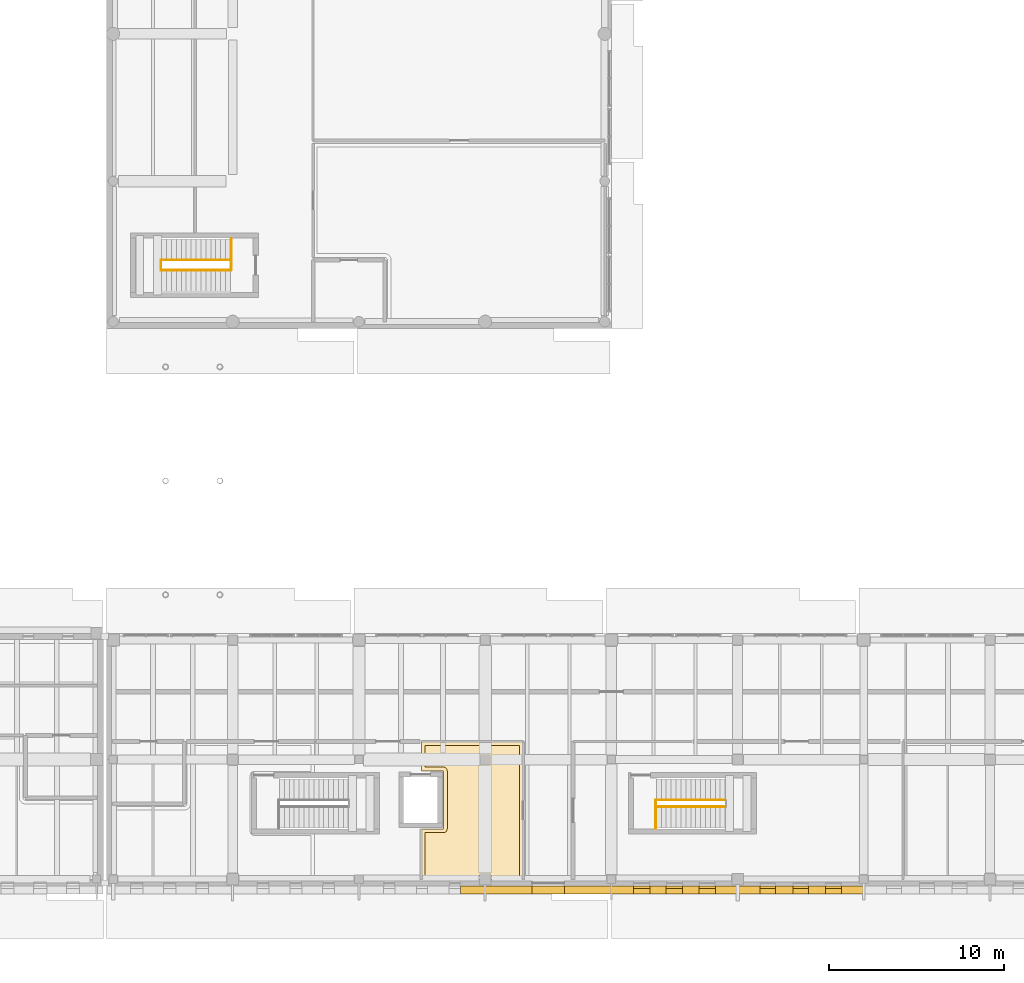
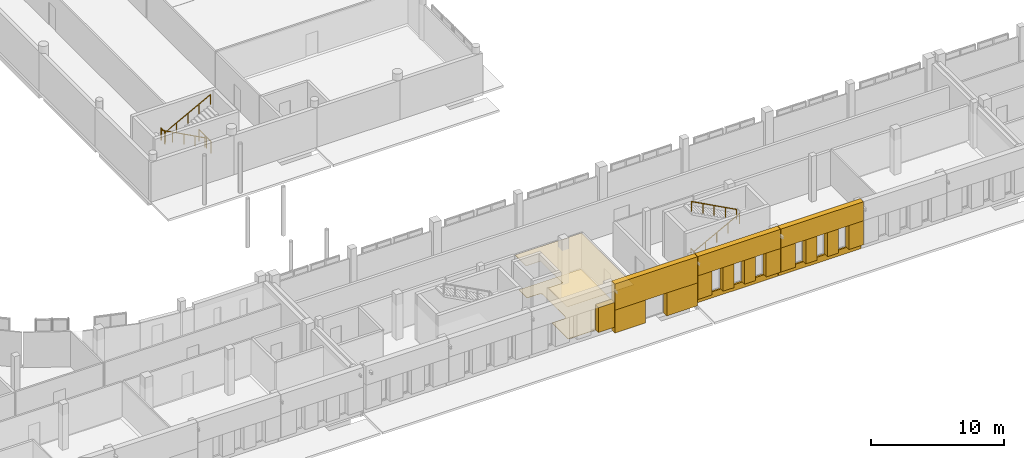
# One storey, part 69 of 77: 18 coverings, 7 railings.
"""IFC4 building model written with IfcOpenShell, lengths in metres."""

from ifc_helpers import new_model, si_unit, direction, frame, origin, origin_2d, place, context, subcontext, project, spatial, polyline, circle, outline, extrude, material, layer, layer_set, type_object, element, save


model = new_model("IFC4")

# Units and contexts
model_context = context("Model", 3, precision=1e-05, world=origin(), true_north=direction((0.0, 1.0)))
body_context = subcontext(model_context, "Body", "Model", "MODEL_VIEW")
ifc_project = project(units=[si_unit("LENGTHUNIT", "METRE"), si_unit("AREAUNIT", "SQUARE_METRE"), si_unit("VOLUMEUNIT", "CUBIC_METRE"), si_unit("PLANEANGLEUNIT", "RADIAN"), si_unit("MASSUNIT", "GRAM", prefix="KILO")], contexts=[model_context])

# Site, building, storey
site_placement = place(None, origin())
site = spatial("IfcSite", under=ifc_project, at=site_placement, CompositionType="ELEMENT")
building_placement = place(site_placement, origin())
building = spatial("IfcBuilding", under=site, at=building_placement, Name="Vardoun Plaza Health Centre", CompositionType="ELEMENT")
storey_placement = place(building_placement, origin())
storey = spatial("IfcBuildingStorey", under=building, at=storey_placement, Name="L00", CompositionType="ELEMENT", Elevation=0.0)

# Coverings
ifc_material_1 = material(Name="Hygienic Acoustic Mineral-Fibre Ceiling", Category="concrete")
ifc_layer_1 = layer(ifc_material_1, 0.02490234375)
ifc_layer_set_1 = layer_set([ifc_layer_1], Name="Hygienic Acoustic Mineral-Fibre Ceiling")
covering_type_1 = type_object("IfcCoveringType", Name="CL-01", PredefinedType="CEILING", material=ifc_layer_set_1)
covering_1_placement = place(storey_placement, frame((0.0, 0.0, 3.14501953125)))
element("IfcCovering", 1, at=covering_1_placement, inside=storey, type_object=covering_type_1, Name="Gowned Patient Waiting Lounge Acoustic Ceiling", PredefinedType="CEILING", context=body_context, shape_type="SweptSolid", body=[
    extrude(outline(polyline([(71.64990234375, 4.860107421875), (65.85009765625, 4.860107421875), (65.85009765625, 7.739990234375), (67.10009765625, 7.739990234375), (67.10107421875, 7.739990234375), (67.10205078125, 7.740234375), (67.102783203125, 7.740478515625), (67.103759765625, 7.74072265625), (67.104736328125, 7.7412109375), (67.105712890625, 7.74169921875), (67.106201171875, 7.7421875), (67.107177734375, 7.742919921875), (67.107666015625, 7.74365234375), (67.1083984375, 7.744384765625), (67.10888671875, 7.745361328125), (67.109130859375, 7.74609375), (67.109619140625, 7.7470703125), (67.10986328125, 7.748046875), (67.110107421875, 7.7490234375), (67.110107421875, 7.75), (67.110107421875, 11.050048828125), (67.110107421875, 11.051025390625), (67.10986328125, 11.052001953125), (67.109619140625, 11.052978515625), (67.109130859375, 11.0537109375), (67.10888671875, 11.0546875), (67.1083984375, 11.0556640625), (67.107666015625, 11.056396484375), (67.107177734375, 11.05712890625), (67.106201171875, 11.0576171875), (67.105712890625, 11.058349609375), (67.104736328125, 11.058837890625), (67.103759765625, 11.05908203125), (67.102783203125, 11.0595703125), (67.10205078125, 11.059814453125), (67.10107421875, 11.06005859375), (67.10009765625, 11.06005859375), (65.85009765625, 11.06005859375), (65.85009765625, 12.719970703125), (71.64990234375, 12.719970703125), (71.64990234375, 4.860107421875)])), origin(), (0.0, 0.0, 1.0), 0.02490234375),
])
ifc_material_2 = material(Name="Pale Limestone Concrete C35/45", Category="masonry")
ifc_layer_2 = layer(ifc_material_2, 0.080078125)
ifc_layer_set_2 = layer_set([ifc_layer_2], Name="Pale Limestone Concrete C35/45")
covering_type_2 = type_object("IfcCoveringType", Name="CL-EXT1", PredefinedType="CLADDING", material=ifc_layer_set_2)
covering_2_placement = place(storey_placement, origin())
element("IfcCovering", 2, at=covering_2_placement, inside=storey, type_object=covering_type_2, Name="V4 L00 Pale Concrete Sill Band 992", PredefinedType="CLADDING", context=body_context, shape_type="SweptSolid", body=[
    extrude(outline(polyline([(91.06005859375, 4.5), (83.89990234375, 4.5), (83.89990234375, 4.360107421875), (91.06005859375, 4.360107421875), (91.06005859375, 4.5)])), origin(), (0.0, 0.0, 1.0), 0.550048828125),
])
covering_3_placement = place(storey_placement, frame((0.0, 0.0, 2.75)))
element("IfcCovering", 3, at=covering_3_placement, inside=storey, type_object=covering_type_2, Name="V4 L00 Sculpted Concrete Eyebrow Hood 993", PredefinedType="CLADDING", context=body_context, shape_type="SweptSolid", body=[
    extrude(outline(polyline([(91.06005859375, 4.5), (83.89990234375, 4.5), (83.89990234375, 4.02001953125), (91.06005859375, 4.02001953125), (91.06005859375, 4.5)])), origin(), (0.0, 0.0, 1.0), 1.75),
])
covering_4_placement = place(storey_placement, frame((0.0, 0.0, 0.550048828125)))
element("IfcCovering", 4, at=covering_4_placement, inside=storey, type_object=covering_type_2, Name="V4 L00 Deep-Punched Slot Concrete Reveal Pier 994", PredefinedType="CLADDING", context=body_context, shape_type="SweptSolid", body=[
    extrude(outline(polyline([(91.06005859375, 4.5), (89.802001953125, 4.5), (89.802001953125, 4.02001953125), (91.06005859375, 4.02001953125), (91.06005859375, 4.5)])), origin(), (0.0, 0.0, 1.0), 2.199951171875),
])
covering_5_placement = place(storey_placement, frame((0.0, 0.0, 0.550048828125)))
element("IfcCovering", 5, at=covering_5_placement, inside=storey, type_object=covering_type_2, Name="V4 L00 Deep-Punched Slot Concrete Reveal Pier 995", PredefinedType="CLADDING", context=body_context, shape_type="SweptSolid", body=[
    extrude(outline(polyline([(88.902099609375, 4.5), (87.929931640625, 4.5), (87.929931640625, 4.02001953125), (88.902099609375, 4.02001953125), (88.902099609375, 4.5)])), origin(), (0.0, 0.0, 1.0), 2.199951171875),
])
covering_6_placement = place(storey_placement, frame((0.0, 0.0, 0.550048828125)))
element("IfcCovering", 6, at=covering_6_placement, inside=storey, type_object=covering_type_2, Name="V4 L00 Deep-Punched Slot Concrete Reveal Pier 996", PredefinedType="CLADDING", context=body_context, shape_type="SweptSolid", body=[
    extrude(outline(polyline([(87.030029296875, 4.5), (86.05810546875, 4.5), (86.05810546875, 4.02001953125), (87.030029296875, 4.02001953125), (87.030029296875, 4.5)])), origin(), (0.0, 0.0, 1.0), 2.199951171875),
])
covering_7_placement = place(storey_placement, frame((0.0, 0.0, 0.550048828125)))
element("IfcCovering", 7, at=covering_7_placement, inside=storey, type_object=covering_type_2, Name="V4 L00 Deep-Punched Slot Concrete Reveal Pier 997", PredefinedType="CLADDING", context=body_context, shape_type="SweptSolid", body=[
    extrude(outline(polyline([(85.157958984375, 4.5), (83.89990234375, 4.5), (83.89990234375, 4.02001953125), (85.157958984375, 4.02001953125), (85.157958984375, 4.5)])), origin(), (0.0, 0.0, 1.0), 2.199951171875),
])
covering_8_placement = place(storey_placement, origin())
element("IfcCovering", 8, at=covering_8_placement, inside=storey, type_object=covering_type_2, Name="V4 L00 Pale Concrete Sill Band 998", PredefinedType="CLADDING", context=body_context, shape_type="SweptSolid", body=[
    extrude(outline(polyline([(83.860107421875, 4.5), (76.699951171875, 4.5), (76.699951171875, 4.360107421875), (83.860107421875, 4.360107421875), (83.860107421875, 4.5)])), origin(), (0.0, 0.0, 1.0), 0.550048828125),
])
covering_9_placement = place(storey_placement, frame((0.0, 0.0, 2.72998046875)))
element("IfcCovering", 9, at=covering_9_placement, inside=storey, type_object=covering_type_2, Name="V4 L00 Sculpted Concrete Eyebrow Hood 999", PredefinedType="CLADDING", context=body_context, shape_type="SweptSolid", body=[
    extrude(outline(polyline([(83.860107421875, 4.5), (76.699951171875, 4.5), (76.699951171875, 4.02001953125), (83.860107421875, 4.02001953125), (83.860107421875, 4.5)])), origin(), (0.0, 0.0, 1.0), 1.77001953125),
])
covering_10_placement = place(storey_placement, frame((0.0, 0.0, 0.550048828125)))
element("IfcCovering", 10, at=covering_10_placement, inside=storey, type_object=covering_type_2, Name="V4 L00 Deep-Punched Slot Concrete Reveal Pier 1000", PredefinedType="CLADDING", context=body_context, shape_type="SweptSolid", body=[
    extrude(outline(polyline([(83.860107421875, 4.5), (82.6220703125, 4.5), (82.6220703125, 4.02001953125), (83.860107421875, 4.02001953125), (83.860107421875, 4.5)])), origin(), (0.0, 0.0, 1.0), 2.179931640625),
])
covering_11_placement = place(storey_placement, frame((0.0, 0.0, 0.550048828125)))
element("IfcCovering", 11, at=covering_11_placement, inside=storey, type_object=covering_type_2, Name="V4 L00 Deep-Punched Slot Concrete Reveal Pier 1001", PredefinedType="CLADDING", context=body_context, shape_type="SweptSolid", body=[
    extrude(outline(polyline([(81.681884765625, 4.5), (80.75, 4.5), (80.75, 4.02001953125), (81.681884765625, 4.02001953125), (81.681884765625, 4.5)])), origin(), (0.0, 0.0, 1.0), 2.179931640625),
])
covering_12_placement = place(storey_placement, frame((0.0, 0.0, 0.550048828125)))
element("IfcCovering", 12, at=covering_12_placement, inside=storey, type_object=covering_type_2, Name="V4 L00 Deep-Punched Slot Concrete Reveal Pier 1002", PredefinedType="CLADDING", context=body_context, shape_type="SweptSolid", body=[
    extrude(outline(polyline([(79.81005859375, 4.5), (78.8779296875, 4.5), (78.8779296875, 4.02001953125), (79.81005859375, 4.02001953125), (79.81005859375, 4.5)])), origin(), (0.0, 0.0, 1.0), 2.179931640625),
])
covering_13_placement = place(storey_placement, frame((0.0, 0.0, 0.550048828125)))
element("IfcCovering", 13, at=covering_13_placement, inside=storey, type_object=covering_type_2, Name="V4 L00 Deep-Punched Slot Concrete Reveal Pier 1003", PredefinedType="CLADDING", context=body_context, shape_type="SweptSolid", body=[
    extrude(outline(polyline([(77.93798828125, 4.5), (76.699951171875, 4.5), (76.699951171875, 4.02001953125), (77.93798828125, 4.02001953125), (77.93798828125, 4.5)])), origin(), (0.0, 0.0, 1.0), 2.179931640625),
])
covering_14_placement = place(storey_placement, frame((0.0, 0.0, 2.10009765625)))
element("IfcCovering", 14, at=covering_14_placement, inside=storey, type_object=covering_type_2, Name="V4 L00 Sculpted Concrete Eyebrow Hood 1004", PredefinedType="CLADDING", context=body_context, shape_type="SweptSolid", body=[
    extrude(outline(polyline([(76.659912109375, 4.5), (69.5, 4.5), (69.5, 4.02001953125), (76.659912109375, 4.02001953125), (76.659912109375, 4.5)])), origin(), (0.0, 0.0, 1.0), 2.39990234375),
])
covering_15_placement = place(storey_placement, origin())
element("IfcCovering", 15, at=covering_15_placement, inside=storey, type_object=covering_type_2, Name="V4 L00 Deep-Punched Slot Concrete Reveal Pier 1005", PredefinedType="CLADDING", context=body_context, shape_type="SweptSolid", body=[
    extrude(outline(polyline([(76.659912109375, 4.5), (74.0, 4.5), (74.0, 4.02001953125), (76.659912109375, 4.02001953125), (76.659912109375, 4.5)])), origin(), (0.0, 0.0, 1.0), 2.10009765625),
])
covering_16_placement = place(storey_placement, origin())
element("IfcCovering", 16, at=covering_16_placement, inside=storey, type_object=covering_type_2, Name="V4 L00 Deep-Punched Slot Concrete Reveal Pier 1006", PredefinedType="CLADDING", context=body_context, shape_type="SweptSolid", body=[
    extrude(outline(polyline([(72.159912109375, 4.5), (69.5, 4.5), (69.5, 4.02001953125), (72.159912109375, 4.02001953125), (72.159912109375, 4.5)])), origin(), (0.0, 0.0, 1.0), 2.10009765625),
])
covering_17_placement = place(storey_placement, frame((0.0, 0.0, 0.550048828125)))
element("IfcCovering", 17, at=covering_17_placement, inside=storey, type_object=covering_type_2, Name="V4 L00 Deep-Punched Slot Concrete Reveal Pier 1009", PredefinedType="CLADDING", context=body_context, shape_type="SweptSolid", body=[
    extrude(outline(polyline([(69.4599609375, 4.5), (68.072021484375, 4.5), (68.072021484375, 4.02001953125), (69.4599609375, 4.02001953125), (69.4599609375, 4.5)])), origin(), (0.0, 0.0, 1.0), 2.280029296875),
])
ifc_material_3 = material(Name="Polished Lebanese Limestone Terrazzo", Category="masonry")
ifc_layer_3 = layer(ifc_material_3, 0.030029296875)
ifc_layer_set_3 = layer_set([ifc_layer_3], Name="Polished Lebanese Limestone Terrazzo")
covering_type_3 = type_object("IfcCoveringType", Name="FL-02", PredefinedType="FLOORING", material=ifc_layer_set_3)
covering_18_placement = place(storey_placement, origin())
element("IfcCovering", 18, at=covering_18_placement, inside=storey, type_object=covering_type_3, Name="Gowned Patient Waiting Lounge Floor Finish", PredefinedType="FLOORING", context=body_context, shape_type="SweptSolid", body=[
    extrude(outline(polyline([(71.43994140625, 5.070068359375), (66.06005859375, 5.070068359375), (66.06005859375, 7.530029296875), (67.10009765625, 7.530029296875), (67.12158203125, 7.531005859375), (67.142822265625, 7.5341796875), (67.163818359375, 7.53955078125), (67.18408203125, 7.546630859375), (67.20361328125, 7.555908203125), (67.22216796875, 7.567138671875), (67.239501953125, 7.579833984375), (67.255615234375, 7.594482421875), (67.27001953125, 7.6103515625), (67.282958984375, 7.627685546875), (67.2939453125, 7.646240234375), (67.30322265625, 7.665771484375), (67.310546875, 7.68603515625), (67.31591796875, 7.70703125), (67.31884765625, 7.728515625), (67.320068359375, 7.75), (67.320068359375, 11.050048828125), (67.31884765625, 11.071533203125), (67.31591796875, 11.093017578125), (67.310546875, 11.114013671875), (67.30322265625, 11.13427734375), (67.2939453125, 11.15380859375), (67.282958984375, 11.172119140625), (67.27001953125, 11.189697265625), (67.255615234375, 11.20556640625), (67.239501953125, 11.22021484375), (67.22216796875, 11.23291015625), (67.20361328125, 11.243896484375), (67.18408203125, 11.25341796875), (67.163818359375, 11.260498046875), (67.142822265625, 11.265869140625), (67.12158203125, 11.268798828125), (67.10009765625, 11.27001953125), (66.06005859375, 11.27001953125), (66.06005859375, 12.510009765625), (71.43994140625, 12.510009765625), (71.43994140625, 5.070068359375)])), origin(), (0.0, 0.0, 1.0), 0.030029296875),
])

# Railings
ifc_material_4 = material(Name="Painted Steel S275JR Stair-Well Guardrail", Category="steel")
railing_type_1 = type_object("IfcRailingType", Name="GR-04", PredefinedType="GUARDRAIL", material=ifc_material_4)
railing_1_placement = place(storey_placement, frame((54.989990234375, 39.60498046875, 0.0)))
element("IfcRailing", 19, at=railing_1_placement, inside=storey, type_object=railing_type_1, Name="Stair ST-C5-B1 Upper Landing Well Guard", PredefinedType="GUARDRAIL", context=body_context, shape_type="SweptSolid", body=[
    extrude(circle(Radius=0.02392578125, at=origin_2d()), frame((0.0, 0.0, 1.09619140625), z_axis=(0.0, 1.0, 0.0), x_axis=(-1.0, 0.0, 0.0)), (0.0, 0.0, 1.0), 1.81494140625),
    extrude(circle(Radius=0.02099609375, at=origin_2d()), origin(), (0.0, 0.0, 1.0), 1.072021484375),
    extrude(circle(Radius=0.02099609375, at=origin_2d()), frame((0.0, 0.907470703125, 0.0)), (0.0, 0.0, 1.0), 1.072021484375),
    extrude(circle(Radius=0.02099609375, at=origin_2d()), frame((0.0, 1.81494140625, 0.0)), (0.0, 0.0, 1.0), 1.072021484375),
])
railing_2_placement = place(storey_placement, frame((50.989990234375, 39.60498046875, 2.25)))
element("IfcRailing", 20, at=railing_2_placement, inside=storey, type_object=railing_type_1, Name="Stair ST-C5-L00 Mid-Landing Well Guard", PredefinedType="GUARDRAIL", context=body_context, shape_type="SweptSolid", body=[
    extrude(circle(Radius=0.02392578125, at=origin_2d()), frame((0.0, 0.0, 1.09619140625), z_axis=(0.0, 1.0, 0.0), x_axis=(-1.0, 0.0, 0.0)), (0.0, 0.0, 1.0), 0.590087890625),
    extrude(circle(Radius=0.02099609375, at=origin_2d()), origin(), (0.0, 0.0, 1.0), 1.072021484375),
    extrude(circle(Radius=0.02099609375, at=origin_2d()), frame((0.0, 0.590087890625, 0.0)), (0.0, 0.0, 1.0), 1.072021484375),
])
railing_3_placement = place(storey_placement, frame((79.2099609375, 7.780029296875, 0.0)))
element("IfcRailing", 21, at=railing_3_placement, inside=storey, type_object=railing_type_1, Name="Stair ST-C7-B1 Upper Landing Well Guard", PredefinedType="GUARDRAIL", context=body_context, shape_type="SweptSolid", body=[
    extrude(circle(Radius=0.02392578125, at=origin_2d()), frame((0.0, 0.0, 1.09619140625), z_axis=(0.0, 1.0, 0.0), x_axis=(-1.0, 0.0, 0.0)), (0.0, 0.0, 1.0), 1.614990234375),
    extrude(circle(Radius=0.02099609375, at=origin_2d()), origin(), (0.0, 0.0, 1.0), 1.072021484375),
    extrude(circle(Radius=0.02099609375, at=origin_2d()), frame((0.0, 0.8076171875, 0.0)), (0.0, 0.0, 1.0), 1.072021484375),
    extrude(circle(Radius=0.02099609375, at=origin_2d()), frame((0.0, 1.614990234375, 0.0)), (0.0, 0.0, 1.0), 1.072021484375),
])
ifc_material_5 = material(Name="Brushed Stainless Steel Grade 316L", Category="steel")
railing_type_2 = type_object("IfcRailingType", Name="HR-01", PredefinedType="HANDRAIL", material=ifc_material_5)
railing_4_placement = place(storey_placement, frame((54.949951171875, 40.195068359375, 0.14990234375)))
element("IfcRailing", 22, at=railing_4_placement, inside=storey, type_object=railing_type_2, Name="Stair ST-C5-L00 Flight 1 Handrail", PredefinedType="HANDRAIL", context=body_context, shape_type="SweptSolid", body=[
    extrude(circle(Radius=0.02392578125, at=origin_2d()), frame((0.0, 0.0, 0.89599609375), z_axis=(-0.881466911329, 0.0, 0.472245787945), x_axis=(0.0, -1.0, 0.0)), (0.0, 0.0, 1.0), 4.447021484375),
    extrude(circle(Radius=0.02099609375, at=origin_2d()), origin(), (0.0, 0.0, 1.0), 0.871826171875),
    extrude(circle(Radius=0.02099609375, at=origin_2d()), frame((-0.97998046875, 0.0, 0.52490234375)), (0.0, 0.0, 1.0), 0.871826171875),
    extrude(circle(Radius=0.02099609375, at=origin_2d()), frame((-1.9599609375, 0.0, 1.050048828125)), (0.0, 0.0, 1.0), 0.871826171875),
    extrude(circle(Radius=0.02099609375, at=origin_2d()), frame((-2.93994140625, 0.0, 1.5751953125)), (0.0, 0.0, 1.0), 0.871826171875),
    extrude(circle(Radius=0.02099609375, at=origin_2d()), frame((-3.919921875, 0.0, 2.10009765625)), (0.0, 0.0, 1.0), 0.871826171875),
])
for number, where, name in (
    (23, (51.030029296875, 39.60498046875, 2.39990234375), "Stair ST-C5-L00 Flight 2 Handrail"),
    (24, (79.25, 9.0048828125, 0.14990234375), "Stair ST-C7-L00 Flight 1 Handrail"),
):
    element("IfcRailing", number, at=place(storey_placement, frame(where)), inside=storey, type_object=railing_type_2, Name=name, PredefinedType="HANDRAIL", context=body_context, shape_type="SweptSolid", body=[
        extrude(circle(Radius=0.02392578125, at=origin_2d()), frame((0.0, 0.0, 0.89599609375), z_axis=(0.881466911329, 0.0, 0.472245787945), x_axis=(0.0, 1.0, 0.0)), (0.0, 0.0, 1.0), 4.447021484375),
        extrude(circle(Radius=0.02099609375, at=origin_2d()), origin(), (0.0, 0.0, 1.0), 0.871826171875),
        extrude(circle(Radius=0.02099609375, at=origin_2d()), frame((0.97998046875, 0.0, 0.52490234375)), (0.0, 0.0, 1.0), 0.871826171875),
        extrude(circle(Radius=0.02099609375, at=origin_2d()), frame((1.9599609375, 0.0, 1.050048828125)), (0.0, 0.0, 1.0), 0.871826171875),
        extrude(circle(Radius=0.02099609375, at=origin_2d()), frame((2.93994140625, 0.0, 1.5751953125)), (0.0, 0.0, 1.0), 0.871826171875),
        extrude(circle(Radius=0.02099609375, at=origin_2d()), frame((3.919921875, 0.0, 2.10009765625)), (0.0, 0.0, 1.0), 0.871826171875),
    ])
railing_5_placement = place(storey_placement, frame((83.169921875, 9.39501953125, 2.39990234375)))
element("IfcRailing", 25, at=railing_5_placement, inside=storey, type_object=railing_type_2, Name="Stair ST-C7-L00 Flight 2 Handrail", PredefinedType="HANDRAIL", context=body_context, shape_type="SweptSolid", body=[
    extrude(circle(Radius=0.02392578125, at=origin_2d()), frame((0.0, 0.0, 0.89599609375), z_axis=(-0.881466911329, 0.0, 0.472245787945), x_axis=(0.0, -1.0, 0.0)), (0.0, 0.0, 1.0), 4.447021484375),
    extrude(circle(Radius=0.02099609375, at=origin_2d()), origin(), (0.0, 0.0, 1.0), 0.871826171875),
    extrude(circle(Radius=0.02099609375, at=origin_2d()), frame((-0.97998046875, 0.0, 0.52490234375)), (0.0, 0.0, 1.0), 0.871826171875),
    extrude(circle(Radius=0.02099609375, at=origin_2d()), frame((-1.9599609375, 0.0, 1.050048828125)), (0.0, 0.0, 1.0), 0.871826171875),
    extrude(circle(Radius=0.02099609375, at=origin_2d()), frame((-2.93994140625, 0.0, 1.5751953125)), (0.0, 0.0, 1.0), 0.871826171875),
    extrude(circle(Radius=0.02099609375, at=origin_2d()), frame((-3.919921875, 0.0, 2.10009765625)), (0.0, 0.0, 1.0), 0.871826171875),
])

save(model, "model.ifc")
